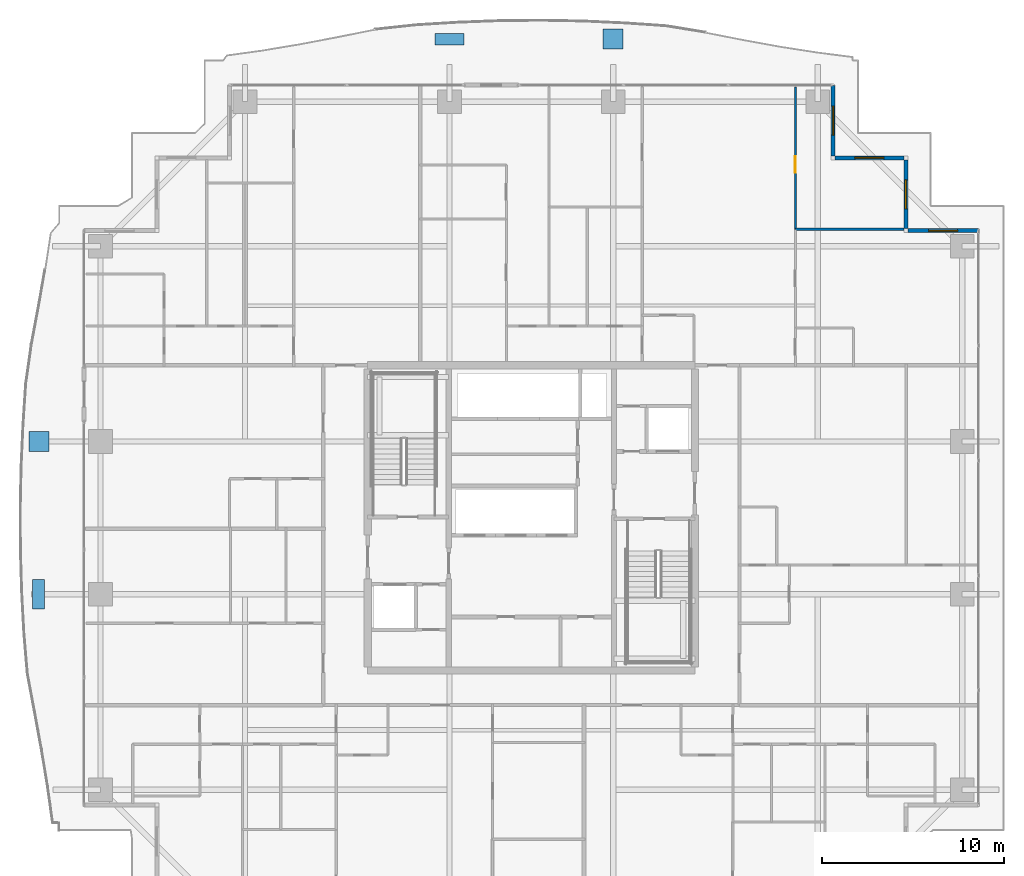
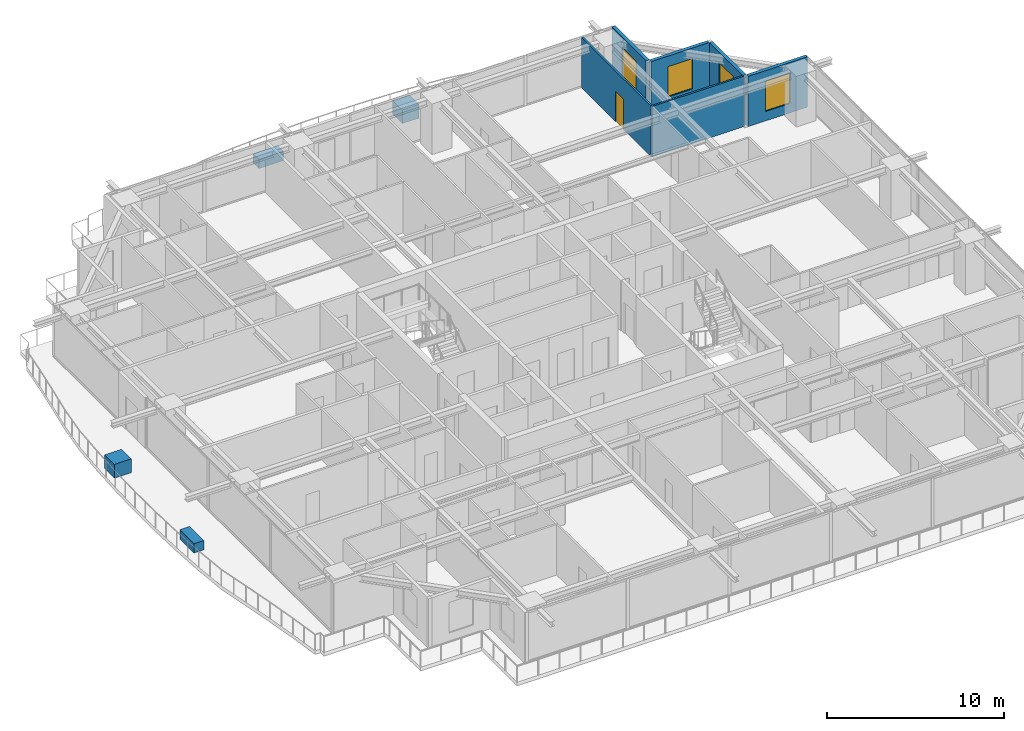
# One storey, part 31 of 37: 6 walls, 4 discrete accessories, 4 windows, 1 door, 5 openings.
"""IFC4 building model written with IfcOpenShell, lengths in metres."""

from ifc_helpers import new_model, si_unit, direction, frame, frame_2d, origin, origin_2d, place, context, subcontext, project, spatial, rectangle, extrude, source, transform, mapped, material, layer, layer_set, type_object, element, fill, save


model = new_model("IFC4")

# Units and contexts
model_context = context("Model", 3, precision=1e-05, world=origin(), true_north=direction((0.0, 1.0)))
body_context = subcontext(model_context, "Body", "Model", "MODEL_VIEW")
ifc_project = project(units=[si_unit("LENGTHUNIT", "METRE"), si_unit("AREAUNIT", "SQUARE_METRE"), si_unit("VOLUMEUNIT", "CUBIC_METRE"), si_unit("PLANEANGLEUNIT", "RADIAN"), si_unit("MASSUNIT", "GRAM", prefix="KILO")], contexts=[model_context])

# Site, building, storey
site_placement = place(None, origin())
site = spatial("IfcSite", under=ifc_project, at=site_placement, CompositionType="ELEMENT")
building_placement = place(site_placement, origin())
building = spatial("IfcBuilding", under=site, at=building_placement, Name="Serunith Strait Residences", CompositionType="ELEMENT")
storey_placement = place(building_placement, frame((0.0, 0.0, 153.89990234375)))
storey = spatial("IfcBuildingStorey", under=building, at=storey_placement, Name="L38", CompositionType="ELEMENT", Elevation=153.89990234375)

# Wall, opening, window
ifc_material_1 = material(Name="Pale-Champagne Aluminium Insulated Panel", Category="aluminium")
ifc_layer_1 = layer(ifc_material_1, 0.219970703125, Name="Pale-Champagne Aluminium Insulated Panel")
ifc_layer_set_1 = layer_set([ifc_layer_1], Name="Pale-Champagne Aluminium Insulated Panel")
wall_type_1 = type_object("IfcWallType", Name="EW-ALUM-220", PredefinedType="ELEMENTEDWALL", material=ifc_layer_set_1)
wall_1_placement = place(storey_placement, frame((57.0, 41.0, 0.0), z_axis=(0.0, 0.0, 1.0), x_axis=(-1.0, 0.0, 0.0)))
wall_1 = element("IfcWall", 1, at=wall_1_placement, inside=storey, type_object=wall_type_1, Name="L38 Girih Serrated Corner Wall 07", PredefinedType="ELEMENTEDWALL", context=body_context, shape_type="SweptSolid", body=[
    extrude(rectangle(XDim=3.889892578125, YDim=0.219970703125, at=frame_2d((1.94482421875, 0.0))), origin(), (0.0, 0.0, 1.0), 3.47509765625),
])
opening_1_placement = place(wall_1_placement, frame((1.14501953125, 0.0, 0.64990234375)))
opening_1 = element("IfcOpeningElement", 2, at=opening_1_placement, cuts=wall_1, Name="Opening W-02", PredefinedType="OPENING", context=body_context, shape_type="SweptSolid", body=[
    extrude(rectangle(XDim=1.60009765625, YDim=2.10009765625, at=frame_2d((0.800048828125, 1.050048828125))), frame((0.0, 0.1201171875, 0.0), z_axis=(0.0, -1.0, 0.0), x_axis=(1.0, 0.0, 0.0)), (0.0, 0.0, 1.0), 0.239990234375),
])
ifc_material_2 = material(Name="Ceramic-Fritted Operable Aluminium Window Glass", Category="aluminium")
window_type = type_object("IfcWindowType", Name="WIN-C2", PartitioningType="DOUBLE_PANEL_VERTICAL", PredefinedType="WINDOW", material=ifc_material_2)
shared_shape_1 = source(origin(), body_context, "Body", "SweptSolid", [
    extrude(rectangle(XDim=1.60009765625, YDim=2.10009765625, at=frame_2d((0.800048828125, 1.050048828125))), frame((0.0, 0.030029296875, 0.0), z_axis=(0.0, -1.0, 0.0), x_axis=(1.0, 0.0, 0.0)), (0.0, 0.0, 1.0), 0.06005859375),
])
window_1_placement = place(opening_1_placement, origin())
window_1 = element("IfcWindow", 3, at=window_1_placement, inside=storey, type_object=window_type, Name="L38 Corner Operable Fritted Window 07", OverallHeight=2.10009765625, OverallWidth=1.60009765625, PartitioningType="SINGLE_PANEL", PredefinedType="WINDOW", context=body_context, shape_type="MappedRepresentation", body=[
    mapped(shared_shape_1, transform((0.0, 0.0, 0.0), scale=1.0)),
])
fill(opening_1, window_1)

wall_2_placement = place(storey_placement, frame((53.0, 41.110107421875, 0.0), z_axis=(0.0, 0.0, 1.0), x_axis=(0.0, 1.0, 0.0)))
wall_2 = element("IfcWall", 4, at=wall_2_placement, inside=storey, type_object=wall_type_1, Name="L38 Girih Serrated Corner Wall 08", PredefinedType="ELEMENTEDWALL", context=body_context, shape_type="SweptSolid", body=[
    extrude(rectangle(XDim=3.77978515625, YDim=0.219970703125, at=frame_2d((1.889892578125, 0.0))), origin(), (0.0, 0.0, 1.0), 3.47509765625),
])
opening_2_placement = place(wall_2_placement, frame((1.090087890625, 0.0, 0.64990234375)))
opening_2 = element("IfcOpeningElement", 5, at=opening_2_placement, cuts=wall_2, Name="Opening W-02", PredefinedType="OPENING", context=body_context, shape_type="SweptSolid", body=[
    extrude(rectangle(XDim=1.60009765625, YDim=2.10009765625, at=frame_2d((0.800048828125, 1.050048828125))), frame((0.0, 0.1201171875, 0.0), z_axis=(0.0, -1.0, 0.0), x_axis=(1.0, 0.0, 0.0)), (0.0, 0.0, 1.0), 0.239990234375),
])
window_2_placement = place(opening_2_placement, origin())
window_2 = element("IfcWindow", 6, at=window_2_placement, inside=storey, type_object=window_type, Name="L38 Corner Operable Fritted Window 08", OverallHeight=2.10009765625, OverallWidth=1.60009765625, PartitioningType="SINGLE_PANEL", PredefinedType="WINDOW", context=body_context, shape_type="MappedRepresentation", body=[
    mapped(shared_shape_1, transform((0.0, 0.0, 0.0), scale=1.0)),
])
fill(opening_2, window_2)

wall_3_placement = place(storey_placement, frame((52.889892578125, 45.0, 0.0), z_axis=(0.0, 0.0, 1.0), x_axis=(-1.0, 0.0, 0.0)))
wall_3 = element("IfcWall", 7, at=wall_3_placement, inside=storey, type_object=wall_type_1, Name="L38 Girih Serrated Corner Wall 09", PredefinedType="ELEMENTEDWALL", context=body_context, shape_type="SweptSolid", body=[
    extrude(rectangle(XDim=3.77978515625, YDim=0.219970703125, at=frame_2d((1.889892578125, 0.0))), origin(), (0.0, 0.0, 1.0), 3.47509765625),
])
opening_3_placement = place(wall_3_placement, frame((1.090087890625, 0.0, 0.64990234375)))
opening_3 = element("IfcOpeningElement", 8, at=opening_3_placement, cuts=wall_3, Name="Opening W-02", PredefinedType="OPENING", context=body_context, shape_type="SweptSolid", body=[
    extrude(rectangle(XDim=1.60009765625, YDim=2.10009765625, at=frame_2d((0.800048828125, 1.050048828125))), frame((0.0, 0.1201171875, 0.0), z_axis=(0.0, -1.0, 0.0), x_axis=(1.0, 0.0, 0.0)), (0.0, 0.0, 1.0), 0.239990234375),
])
window_3_placement = place(opening_3_placement, origin())
window_3 = element("IfcWindow", 9, at=window_3_placement, inside=storey, type_object=window_type, Name="L38 Corner Operable Fritted Window 09", OverallHeight=2.10009765625, OverallWidth=1.60009765625, PartitioningType="SINGLE_PANEL", PredefinedType="WINDOW", context=body_context, shape_type="MappedRepresentation", body=[
    mapped(shared_shape_1, transform((0.0, 0.0, 0.0), scale=1.0)),
])
fill(opening_3, window_3)

wall_4_placement = place(storey_placement, frame((49.0, 45.110107421875, 0.0), z_axis=(0.0, 0.0, 1.0), x_axis=(0.0, 1.0, 0.0)))
wall_4 = element("IfcWall", 10, at=wall_4_placement, inside=storey, type_object=wall_type_1, Name="L38 Girih Serrated Corner Wall 10", PredefinedType="ELEMENTEDWALL", context=body_context, shape_type="SweptSolid", body=[
    extrude(rectangle(XDim=3.889892578125, YDim=0.219970703125, at=frame_2d((1.94482421875, 0.0))), origin(), (0.0, 0.0, 1.0), 3.47509765625),
])
opening_4_placement = place(wall_4_placement, frame((1.14501953125, 0.0, 0.64990234375)))
opening_4 = element("IfcOpeningElement", 11, at=opening_4_placement, cuts=wall_4, Name="Opening W-02", PredefinedType="OPENING", context=body_context, shape_type="SweptSolid", body=[
    extrude(rectangle(XDim=1.60009765625, YDim=2.10009765625, at=frame_2d((0.800048828125, 1.050048828125))), frame((0.0, 0.1201171875, 0.0), z_axis=(0.0, -1.0, 0.0), x_axis=(1.0, 0.0, 0.0)), (0.0, 0.0, 1.0), 0.239990234375),
])
window_4_placement = place(opening_4_placement, origin())
window_4 = element("IfcWindow", 12, at=window_4_placement, inside=storey, type_object=window_type, Name="L38 Corner Operable Fritted Window 10", OverallHeight=2.10009765625, OverallWidth=1.60009765625, PartitioningType="SINGLE_PANEL", PredefinedType="WINDOW", context=body_context, shape_type="MappedRepresentation", body=[
    mapped(shared_shape_1, transform((0.0, 0.0, 0.0), scale=1.0)),
])
fill(opening_4, window_4)

# Wall, opening, door
ifc_material_3 = material(Name="Lightweight steel-stud gypsum partition", Category="steel")
ifc_layer_2 = layer(ifc_material_3, 0.1201171875, Name="Lightweight steel-stud gypsum partition")
ifc_layer_set_2 = layer_set([ifc_layer_2], Name="Lightweight steel-stud gypsum partition")
wall_type_2 = type_object("IfcWallType", Name="IW-PART-120", PredefinedType="PARTITIONING", material=ifc_layer_set_2)
wall_5_placement = place(storey_placement, frame((46.929931640625, 48.905029296875, 0.0), z_axis=(0.0, 0.0, 1.0), x_axis=(0.0, -1.0, 0.0)))
wall_5 = element("IfcWall", 13, at=wall_5_placement, inside=storey, type_object=wall_type_2, Name="L38 Partition Wall 098", PredefinedType="PARTITIONING", context=body_context, shape_type="SweptSolid", body=[
    extrude(rectangle(XDim=7.830078125, YDim=0.1201171875, at=frame_2d((3.9150390625, 0.0))), origin(), (0.0, 0.0, 1.0), 3.489990234375),
])
opening_5_placement = place(wall_5_placement, frame((3.81103515625, 0.0, 0.0)))
opening_5 = element("IfcOpeningElement", 14, at=opening_5_placement, cuts=wall_5, Name="Opening D-RM900", PredefinedType="OPENING", context=body_context, shape_type="SweptSolid", body=[
    extrude(rectangle(XDim=0.89990234375, YDim=2.10009765625, at=frame_2d((0.449951171875, 1.050048828125))), frame((0.0, 0.070068359375, 0.0), z_axis=(0.0, -1.0, 0.0), x_axis=(1.0, 0.0, 0.0)), (0.0, 0.0, 1.0), 0.14013671875),
])
ifc_material_4 = material(Name="Engineered timber flush bedroom door", Category="wood")
door_type = type_object("IfcDoorType", Name="ID-ROOM-900", OperationType="NOTDEFINED", PredefinedType="DOOR", material=ifc_material_4)
shared_shape_2 = source(origin(), body_context, "Body", "SweptSolid", [
    extrude(rectangle(XDim=0.89990234375, YDim=2.10009765625, at=frame_2d((0.449951171875, 1.050048828125))), frame((0.0, 0.02490234375, 0.0), z_axis=(0.0, -1.0, 0.0), x_axis=(1.0, 0.0, 0.0)), (0.0, 0.0, 1.0), 0.050048828125),
])
door_placement = place(opening_5_placement, origin())
door = element("IfcDoor", 15, at=door_placement, inside=storey, type_object=door_type, Name="L38 Bedroom 3 3804 Door", OperationType="SINGLE_SWING_LEFT", OverallHeight=2.10009765625, OverallWidth=0.89990234375, PredefinedType="DOOR", context=body_context, shape_type="MappedRepresentation", body=[
    mapped(shared_shape_2, transform((0.0, 0.0, 0.0), scale=1.0)),
])
fill(opening_5, door)

# Wall
wall_6_placement = place(storey_placement, frame((46.929931640625, 41.074951171875, 0.0), z_axis=(0.0, 0.0, 1.0), x_axis=(1.0, 0.0, 0.0)))
element("IfcWall", 16, at=wall_6_placement, inside=storey, type_object=wall_type_2, Name="L38 Partition Wall 099", PredefinedType="PARTITIONING", context=body_context, shape_type="SweptSolid", body=[
    extrude(rectangle(XDim=5.97509765625, YDim=0.1201171875, at=frame_2d((2.987548828125, 0.0))), origin(), (0.0, 0.0, 1.0), 3.489990234375),
])

# Discrete accessories
ifc_material_5 = material(Name="GFRC Root-Anchored Structural Planter")
discrete_accessory_type_1 = type_object("IfcDiscreteAccessoryType", Name="ACC-PLANTER-TREE", PredefinedType="USERDEFINED", material=ifc_material_5)
shared_shape_3 = source(origin(), body_context, "Body", "SweptSolid", [
    extrude(rectangle(XDim=1.10009765625, YDim=1.10009765625, at=origin_2d()), origin(), (0.0, 0.0, 1.0), 0.949951171875),
])
for number, where, z_axis, x_axis, name in (
    (17, (36.89990234375, 51.54638671875, -0.0498046875), (0.0, 0.0, 1.0), (-1.0, 0.0, 0.0), "L38 Vertical-Forest Tree Planter 07"),
    (18, (5.305908203125, 29.39990234375, -0.0498046875), (0.0, 0.0, 1.0), (0.0, -1.0, 0.0), "L38 Vertical-Forest Tree Planter 15"),
):
    element("IfcDiscreteAccessory", number, at=place(storey_placement, frame(where, z_axis=z_axis, x_axis=x_axis)), inside=storey, type_object=discrete_accessory_type_1, Name=name, ObjectType="PLANTER", PredefinedType="USERDEFINED", context=body_context, shape_type="MappedRepresentation", body=[
        mapped(shared_shape_3, transform((0.0, 0.0, 0.0), scale=1.0)),
    ])
ifc_material_6 = material(Name="GFRC Irrigated Shrub Trough Planter")
discrete_accessory_type_2 = type_object("IfcDiscreteAccessoryType", Name="ACC-PLANTER-SHRUB", PredefinedType="USERDEFINED", material=ifc_material_6)
shared_shape_4 = source(origin(), body_context, "Body", "SweptSolid", [
    extrude(rectangle(XDim=1.60009765625, YDim=0.64990234375, at=origin_2d()), origin(), (0.0, 0.0, 1.0), 0.64990234375),
])
for number, where, z_axis, x_axis, name in (
    (19, (27.89990234375, 51.528076171875, -0.0498046875), (0.0, 0.0, 1.0), (-1.0, 0.0, 0.0), "L38 Vertical-Forest Shrub Planter 06"),
    (20, (5.2822265625, 21.0, -0.0498046875), (0.0, 0.0, 1.0), (0.0, -1.0, 0.0), "L38 Vertical-Forest Shrub Planter 14"),
):
    element("IfcDiscreteAccessory", number, at=place(storey_placement, frame(where, z_axis=z_axis, x_axis=x_axis)), inside=storey, type_object=discrete_accessory_type_2, Name=name, ObjectType="PLANTER", PredefinedType="USERDEFINED", context=body_context, shape_type="MappedRepresentation", body=[
        mapped(shared_shape_4, transform((0.0, 0.0, 0.0), scale=1.0)),
    ])

save(model, "model.ifc")
